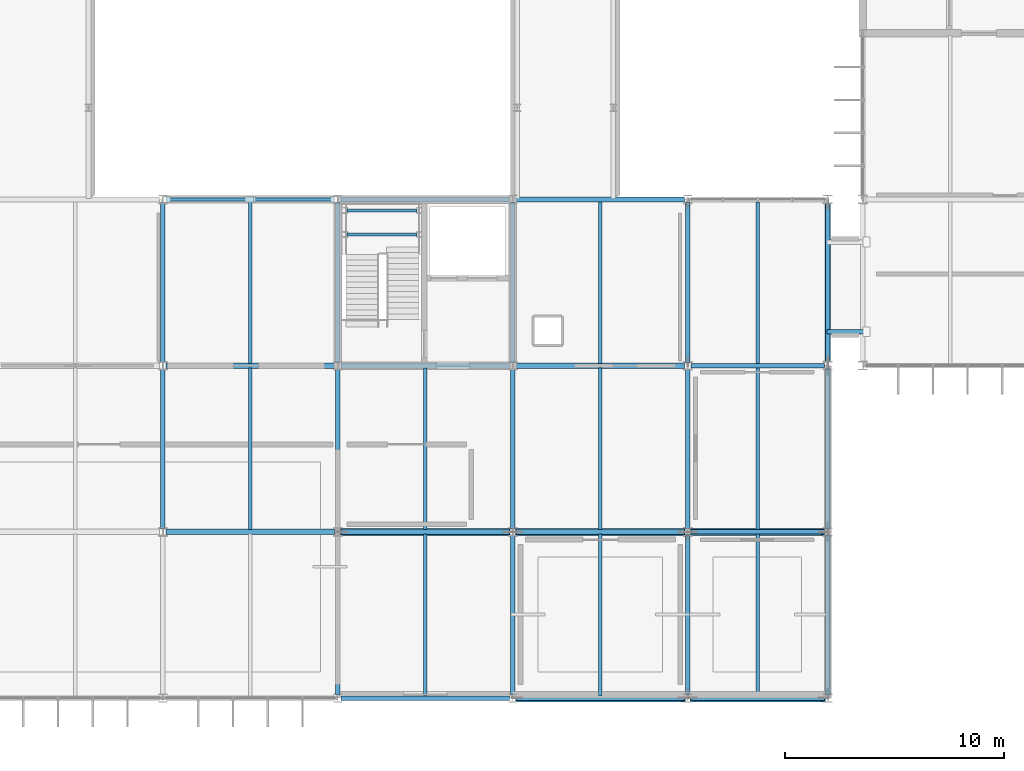
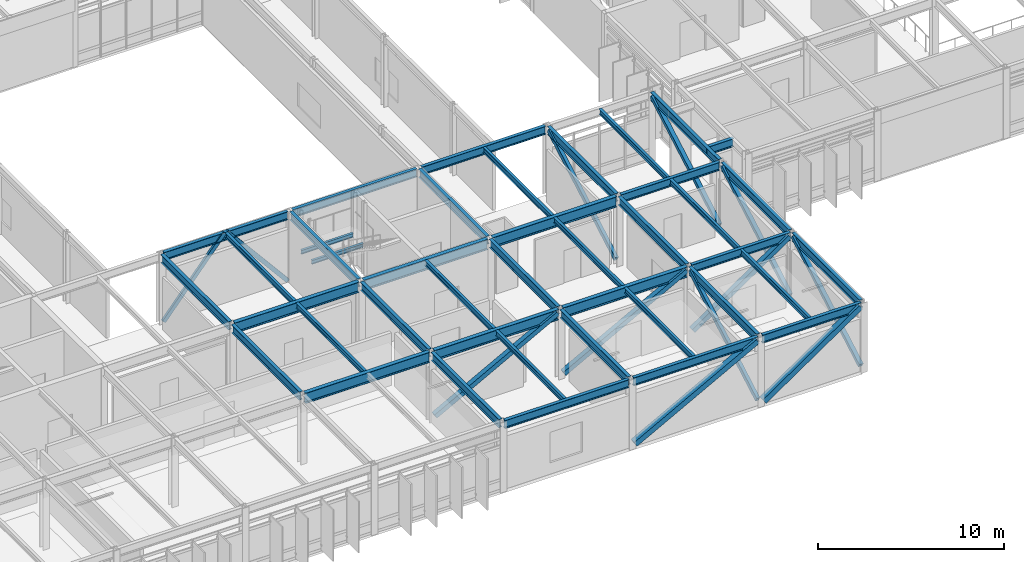
# One storey, part 28 of 104: 41 beams, 12 members.
"""IFC4 building model written with IfcOpenShell, lengths in metres."""

import ifcopenshell
import ifcopenshell.guid

model = None  # the IFC model being written
_history = None  # IfcOwnerHistory: only IFC2X3 demands one
_inside = {}  # id of a spatial element -> (the spatial element, [elements in it])
_under = {}  # id of a project, library or spatial element -> (it, [spatial elements below it])
_declared = {}  # id of a project -> (the project, [libraries it declares])
_typed = {}  # id of a type object -> (the type object, [elements of that type])
_made_of = {}  # id of a material, layer set ... -> (it, [elements and type objects made of it])


def new_model(schema):
    """Start an empty IFC model of exactly this schema.

    Asked for "IFC4X3", IfcOpenShell would pick the latest addendum, in which some entities
    have other attributes; the version numbers below select the first issue.
    IFC2X3 requires an IfcOwnerHistory on every rooted entity: one is made here for all.
    """
    global model, _history
    if schema == "IFC4X3":
        model = ifcopenshell.file(schema_version=(4, 3, 0, 0))
    else:
        model = ifcopenshell.file(schema=schema)
    _inside.clear()
    _under.clear()
    _declared.clear()
    _typed.clear()
    _made_of.clear()
    _history = None
    if model.schema == "IFC2X3":
        org = make("IfcOrganization", Name="unknown")
        user = make(
            "IfcPersonAndOrganization",
            ThePerson=make("IfcPerson", FamilyName="unknown"),
            TheOrganization=org,
        )
        app = make(
            "IfcApplication",
            ApplicationDeveloper=org,
            Version="unknown",
            ApplicationFullName="unknown",
            ApplicationIdentifier="unknown",
        )
        _history = make(
            "IfcOwnerHistory",
            OwningUser=user,
            OwningApplication=app,
            ChangeAction="ADDED",
            CreationDate=0,
        )
    return model


def make(cls, **values):
    """One entity of the class cls with the attributes given. An attribute that is None is left unset."""
    return model.create_entity(
        cls, **{name: value for name, value in values.items() if value is not None}
    )


def rooted(cls, **values):
    """An entity with a GlobalId (a new one), such as an element, a storey or a relation."""
    return make(cls, GlobalId=ifcopenshell.guid.new(), OwnerHistory=_history, **values)


def si_unit(unit_type, name, prefix=None):
    """IfcSIUnit, for example si_unit("LENGTHUNIT", "METRE", prefix="MILLI")."""
    return make("IfcSIUnit", UnitType=unit_type, Prefix=prefix, Name=name)


def assignment(units):
    """IfcUnitAssignment: the units of a project."""
    return None if units is None else make("IfcUnitAssignment", Units=units)


def point(xyz):
    """IfcCartesianPoint."""
    return None if xyz is None else make("IfcCartesianPoint", Coordinates=xyz)


def direction(xyz):
    """IfcDirection."""
    return None if xyz is None else make("IfcDirection", DirectionRatios=xyz)


def frame(location, z_axis=None, x_axis=None):
    """IfcAxis2Placement3D, a coordinate frame: its origin and axes. An axis left out is left unset."""
    return make(
        "IfcAxis2Placement3D",
        Location=point(location),
        Axis=direction(z_axis),
        RefDirection=direction(x_axis),
    )


def frame_2d(location, x_axis=None):
    """IfcAxis2Placement2D, a coordinate frame in the plane: its origin and x axis."""
    return make(
        "IfcAxis2Placement2D", Location=point(location), RefDirection=direction(x_axis)
    )


def origin():
    """The frame at (0, 0, 0) with its axes left unset."""
    return frame((0.0, 0.0, 0.0))


def origin_2d():
    """The frame at (0, 0) in the plane with its x axis left unset."""
    return frame_2d((0.0, 0.0))


def place(relative_to, where):
    """IfcLocalPlacement: puts the frame where relative to a parent placement (None: the world)."""
    return make(
        "IfcLocalPlacement", PlacementRelTo=relative_to, RelativePlacement=where
    )


def context(
    kind, dimensions, precision=None, world=None, true_north=None, identifier=None
):
    """IfcGeometricRepresentationContext, for example the 3D "Model" context."""
    return make(
        "IfcGeometricRepresentationContext",
        ContextIdentifier=identifier,
        ContextType=kind,
        CoordinateSpaceDimension=dimensions,
        Precision=precision,
        WorldCoordinateSystem=world,
        TrueNorth=true_north,
    )


def subcontext(parent, identifier, kind, view, scale=None):
    """IfcGeometricRepresentationSubContext, for example "Body" below "Model"."""
    return make(
        "IfcGeometricRepresentationSubContext",
        ContextIdentifier=identifier,
        ContextType=kind,
        ParentContext=parent,
        TargetScale=scale,
        TargetView=view,
    )


def project(units=None, contexts=None):
    """IfcProject with its units and contexts."""
    return rooted(
        "IfcProject",
        Name="project",
        RepresentationContexts=contexts,
        UnitsInContext=assignment(units),
    )


def spatial(cls, under=None, at=None, **own):
    """A site, building, storey or space (cls), placed at a placement, below another one or the project."""
    s = rooted(cls, ObjectPlacement=at, **own)
    if under is not None:
        _under.setdefault(under.id(), (under, []))[1].append(s)
    return s


def profile(cls, at=None, kind="AREA", **sizes):
    """A parametric profile (cls). Its sizes go by their IFC names, for example OverallWidth=200.0."""
    return make(cls, ProfileType=kind, Position=at, **sizes)


def hollow_rectangle(**sizes):
    """IfcRectangleHollowProfileDef."""
    return profile("IfcRectangleHollowProfileDef", **sizes)


def i_section(**sizes):
    """IfcIShapeProfileDef."""
    return profile("IfcIShapeProfileDef", **sizes)


def extrude(swept, where, along, depth):
    """IfcExtrudedAreaSolid: the profile swept, set in the frame where, extruded along a direction by depth."""
    return make(
        "IfcExtrudedAreaSolid",
        SweptArea=swept,
        Position=where,
        ExtrudedDirection=direction(along),
        Depth=depth,
    )


def shape(context_of_items, identifier, shape_type, items):
    """IfcShapeRepresentation: the items that make up one representation, for example the "Body"."""
    return make(
        "IfcShapeRepresentation",
        ContextOfItems=context_of_items,
        RepresentationIdentifier=identifier,
        RepresentationType=shape_type,
        Items=items,
    )


def material(Name=None, Category=None):
    """IfcMaterial."""
    return make("IfcMaterial", Name=Name, Category=Category)


def material_profile(
    of_material, cross_section, Name=None, Category=None, Priority=None
):
    """IfcMaterialProfile: a cross section and its material."""
    return make(
        "IfcMaterialProfile",
        Name=Name,
        Material=of_material,
        Profile=cross_section,
        Priority=Priority,
        Category=Category,
    )


def profile_set(profiles, Name=None, composite=None):
    """IfcMaterialProfileSet."""
    return make(
        "IfcMaterialProfileSet",
        Name=Name,
        MaterialProfiles=profiles,
        CompositeProfile=composite,
    )


def made_of(thing, what):
    """Note that an element or type object is made of a material, layer set ...; save() writes the relation."""
    if what is not None:
        _made_of.setdefault(what.id(), (what, []))[1].append(thing)
    return thing


def type_object(cls, material=None, **own):
    """A type object (cls), such as IfcWallType, which elements share."""
    return made_of(rooted(cls, **own), material)


def element(
    cls,
    number,
    at=None,
    inside=None,
    cuts=None,
    type_object=None,
    material=None,
    context=None,
    identifier="Body",
    shape_type=None,
    held_by="IfcProductDefinitionShape",
    body=None,
    shapes=None,
    **own,
):
    """One element of the class cls, such as IfcWall. Its Tag is "e" and its number.

    at: its placement. inside: the storey or other place that contains it. cuts: it is an
    opening in that element (IfcRelVoidsElement). A single representation is given by context,
    identifier, shape_type and body (its items); several are given by shapes. held_by: the class
    of the entity that holds the representations. save() writes the other relations.
    """
    e = rooted(cls, Tag="e%d" % number, ObjectPlacement=at, **own)
    if body is not None:
        shapes = [shape(context, identifier, shape_type, body)]
    if shapes is not None:
        e.Representation = make(held_by, Representations=shapes)
    if inside is not None:
        _inside.setdefault(inside.id(), (inside, []))[1].append(e)
    if cuts is not None:
        rooted(
            "IfcRelVoidsElement", RelatingBuildingElement=cuts, RelatedOpeningElement=e
        )
    if type_object is not None:
        _typed.setdefault(type_object.id(), (type_object, []))[1].append(e)
    return made_of(e, material)


def aggregate(whole, parts):
    """IfcRelAggregates: a whole, such as a stair, and the parts it consists of."""
    return rooted("IfcRelAggregates", RelatingObject=whole, RelatedObjects=parts)


def save(model, path):
    """Write the relations noted so far, then the file.

    IfcRelAggregates (storeys below a building ...), IfcRelContainedInSpatialStructure (elements
    in a storey), IfcRelDefinesByType, IfcRelAssociatesMaterial and IfcRelDeclares: one each for
    every whole, place, type object, material and project.
    """
    for whole, parts in _under.values():
        aggregate(whole, parts)
    for where, things in _inside.values():
        rooted(
            "IfcRelContainedInSpatialStructure",
            RelatedElements=things,
            RelatingStructure=where,
        )
    for kind, things in _typed.values():
        rooted("IfcRelDefinesByType", RelatedObjects=things, RelatingType=kind)
    for what, things in _made_of.values():
        rooted("IfcRelAssociatesMaterial", RelatedObjects=things, RelatingMaterial=what)
    for by, libraries in _declared.values():
        rooted("IfcRelDeclares", RelatingContext=by, RelatedDefinitions=libraries)
    model.write(path)


model = new_model("IFC4")

# Units and contexts
model_context = context("Model", 3, precision=1e-05, world=origin(), true_north=direction((0.0, 1.0)))
body_context = subcontext(model_context, "Body", "Model", "MODEL_VIEW")
ifc_project = project(units=[si_unit("LENGTHUNIT", "METRE"), si_unit("AREAUNIT", "SQUARE_METRE"), si_unit("VOLUMEUNIT", "CUBIC_METRE"), si_unit("PLANEANGLEUNIT", "RADIAN"), si_unit("MASSUNIT", "GRAM", prefix="KILO")], contexts=[model_context])

# Site, building, storey
site_placement = place(None, origin())
site = spatial("IfcSite", under=ifc_project, at=site_placement, CompositionType="ELEMENT")
building_placement = place(site_placement, origin())
building = spatial("IfcBuilding", under=site, at=building_placement, Name="Zulena Civic Courthouse", CompositionType="ELEMENT")
storey_placement = place(building_placement, frame((0.0, 0.0, 15.60009765625)))
storey = spatial("IfcBuildingStorey", under=building, at=storey_placement, Name="L03", CompositionType="ELEMENT", Elevation=15.60009765625)

# Members
ifc_material_1 = material(Name="Steel ASTM A500 Grade C", Category="steel")
ifc_material_profile_1 = material_profile(ifc_material_1, hollow_rectangle(XDim=0.152099609375, YDim=0.25390625, WallThickness=0.0087890625, at=origin_2d()), Name="HSS10X6X3/8")
ifc_profile_set_1 = profile_set([ifc_material_profile_1], Name="Steel ASTM A500 Grade C")
member_type_1 = type_object("IfcMemberType", Name="Brace_HSS10X6", PredefinedType="BRACE", material=ifc_profile_set_1)
for number, where, z_axis, x_axis, name in (
    (1, (36.14990234375, 22.800048828125, 0.010009765625), (0.641034700676, 0.0, 0.767511897321), (0.0, 1.0, 0.0), "brace:V2:L03:1:0"),
    (2, (43.85009765625, 22.800048828125, 0.010009765625), (-0.641034700676, 0.0, 0.767511897321), (0.0, -1.0, 0.0), "brace:V2:L03:1:1"),
):
    element("IfcMember", number, at=place(storey_placement, frame(where, z_axis=z_axis, x_axis=x_axis)), inside=storey, type_object=member_type_1, Name=name, PredefinedType="BRACE", context=body_context, shape_type="SweptSolid", body=[
        extrude(hollow_rectangle(XDim=0.152099609375, YDim=0.25390625, WallThickness=0.0087890625, at=origin_2d()), origin(), (0.0, 0.0, 1.0), 5.927978515625),
    ])

# Beams
ifc_material_2 = material(Name="Steel ASTM A992 Grade 50", Category="steel")
ifc_material_profile_2 = material_profile(ifc_material_2, i_section(OverallWidth=0.2099609375, OverallDepth=0.537109375, WebThickness=0.010986328125, FlangeThickness=0.017333984375, FilletRadius=0.0126953125, at=origin_2d()), Name="W21X68")
ifc_profile_set_2 = profile_set([ifc_material_profile_2], Name="Steel ASTM A992 Grade 50")
beam_type_1 = type_object("IfcBeamType", Name="BridgeGirder_W21X68", PredefinedType="BEAM", material=ifc_profile_set_2)
beam_1_placement = place(storey_placement, frame((66.3701171875, 16.75, 4.31640625), z_axis=(1.0, 0.0, 0.0), x_axis=(0.0, 1.0, 0.0)))
element("IfcBeam", 3, at=beam_1_placement, inside=storey, type_object=beam_type_1, Name="beam:bridge:BR-24:L04:16.75", PredefinedType="BEAM", context=body_context, shape_type="SweptSolid", body=[
    extrude(i_section(OverallWidth=0.2099609375, OverallDepth=0.537109375, WebThickness=0.010986328125, FlangeThickness=0.017333984375, FilletRadius=0.0126953125, at=origin_2d()), origin(), (0.0, 0.0, 1.0), 1.659912109375),
])
ifc_material_profile_3 = material_profile(ifc_material_2, i_section(OverallWidth=0.2099609375, OverallDepth=0.537109375, WebThickness=0.010986328125, FlangeThickness=0.017333984375, FilletRadius=0.0126953125, at=origin_2d()), Name="W21X68")
ifc_profile_set_3 = profile_set([ifc_material_profile_3], Name="Steel ASTM A992 Grade 50")
beam_type_2 = type_object("IfcBeamType", Name="Girder_W21X68", PredefinedType="BEAM", material=ifc_profile_set_3)
for number, where, z_axis, x_axis, name in (
    (4, (36.0, 7.7451171875, 4.3212890625), (0.0, 1.0, 0.0), (-1.0, 0.0, 0.0), "beam:Y:V2:L03:36.0:7.6_15.2"),
    (5, (44.0, 7.7451171875, 4.3212890625), (0.0, 1.0, 0.0), (-1.0, 0.0, 0.0), "beam:Y:V2:L03:44.0:7.6_15.2"),
    (6, (52.0, 7.7451171875, 4.3212890625), (0.0, 1.0, 0.0), (-1.0, 0.0, 0.0), "beam:Y:V2:L03:52.0:7.6_15.2"),
    (7, (60.0, 7.7451171875, 4.3212890625), (0.0, 1.0, 0.0), (-1.0, 0.0, 0.0), "beam:Y:V2:L03:60.0:7.6_15.2"),
):
    element("IfcBeam", number, at=place(storey_placement, frame(where, z_axis=z_axis, x_axis=x_axis)), inside=storey, type_object=beam_type_2, Name=name, PredefinedType="BEAM", context=body_context, shape_type="SweptSolid", body=[
        extrude(i_section(OverallWidth=0.2099609375, OverallDepth=0.537109375, WebThickness=0.010986328125, FlangeThickness=0.017333984375, FilletRadius=0.0126953125, at=origin_2d()), origin(), (0.0, 0.0, 1.0), 7.309814453125),
    ])
ifc_material_profile_4 = material_profile(ifc_material_2, i_section(OverallWidth=0.25390625, OverallDepth=0.68798828125, WebThickness=0.01318359375, FlangeThickness=0.02099609375, FilletRadius=0.0166015625, at=origin_2d()), Name="W27X102")
ifc_profile_set_4 = profile_set([ifc_material_profile_4], Name="Steel ASTM A992 Grade 50")
beam_type_3 = type_object("IfcBeamType", Name="Girder_W27X102", PredefinedType="BEAM", material=ifc_profile_set_4)
for number, where, z_axis, x_axis, name in (
    (8, (36.14501953125, 7.60009765625, 4.245849609375), (1.0, 0.0, 0.0), (0.0, 1.0, 0.0), "beam:X:V2:L03:7.6:36.0_44.0"),
    (9, (44.14501953125, 7.60009765625, 4.245849609375), (1.0, 0.0, 0.0), (0.0, 1.0, 0.0), "beam:X:V2:L03:7.6:44.0_52.0"),
    (10, (52.14501953125, 7.60009765625, 4.245849609375), (1.0, 0.0, 0.0), (0.0, 1.0, 0.0), "beam:X:V2:L03:7.6:52.0_60.0"),
    (11, (36.14501953125, 15.199951171875, 4.245849609375), (1.0, 0.0, 0.0), (0.0, 1.0, 0.0), "beam:X:V2:L03:15.2:36.0_44.0"),
    (12, (44.14501953125, 15.199951171875, 4.245849609375), (1.0, 0.0, 0.0), (0.0, 1.0, 0.0), "beam:X:V2:L03:15.2:44.0_52.0"),
    (13, (52.14501953125, 15.199951171875, 4.245849609375), (1.0, 0.0, 0.0), (0.0, 1.0, 0.0), "beam:X:V2:L03:15.2:52.0_60.0"),
):
    element("IfcBeam", number, at=place(storey_placement, frame(where, z_axis=z_axis, x_axis=x_axis)), inside=storey, type_object=beam_type_3, Name=name, PredefinedType="BEAM", context=body_context, shape_type="SweptSolid", body=[
        extrude(i_section(OverallWidth=0.25390625, OverallDepth=0.68798828125, WebThickness=0.01318359375, FlangeThickness=0.02099609375, FilletRadius=0.0166015625, at=origin_2d()), origin(), (0.0, 0.0, 1.0), 7.7099609375),
    ])
ifc_material_profile_5 = material_profile(ifc_material_2, i_section(OverallWidth=0.14599609375, OverallDepth=0.258056640625, WebThickness=0.006103515625, FlangeThickness=0.009033203125, FilletRadius=0.007568359375, at=origin_2d()), Name="W10X22")
ifc_profile_set_5 = profile_set([ifc_material_profile_5], Name="Steel ASTM A992 Grade 50")
beam_type_4 = type_object("IfcBeamType", Name="Joist_W10X22", PredefinedType="JOIST", material=ifc_profile_set_5)
for number, where, z_axis, x_axis, name in (
    (14, (44.419921875, 21.199951171875, 1.990966796875), (1.0, 0.0, 0.0), (0.0, 1.0, 0.0), "beam:lnd:K2B:L03:0"),
    (15, (44.419921875, 22.300048828125, 1.990966796875), (1.0, 0.0, 0.0), (0.0, 1.0, 0.0), "beam:lnd:K2B:L03:1"),
):
    element("IfcBeam", number, at=place(storey_placement, frame(where, z_axis=z_axis, x_axis=x_axis)), inside=storey, type_object=beam_type_4, Name=name, PredefinedType="JOIST", context=body_context, shape_type="SweptSolid", body=[
        extrude(i_section(OverallWidth=0.14599609375, OverallDepth=0.258056640625, WebThickness=0.006103515625, FlangeThickness=0.009033203125, FilletRadius=0.007568359375, at=origin_2d()), origin(), (0.0, 0.0, 1.0), 3.2001953125),
    ])
ifc_material_profile_6 = material_profile(ifc_material_2, i_section(OverallWidth=0.1708984375, OverallDepth=0.35205078125, WebThickness=0.0068359375, FlangeThickness=0.009765625, FilletRadius=0.01025390625, at=origin_2d()), Name="W14X30")
ifc_profile_set_6 = profile_set([ifc_material_profile_6], Name="Steel ASTM A992 Grade 50")
beam_type_5 = type_object("IfcBeamType", Name="Joist_W14X30", PredefinedType="JOIST", material=ifc_profile_set_6)
beam_2_placement = place(storey_placement, frame((40.0, 7.705078125, 4.413818359375), z_axis=(0.0, 1.0, 0.0), x_axis=(-1.0, 0.0, 0.0)))
element("IfcBeam", 16, at=beam_2_placement, inside=storey, type_object=beam_type_5, Name="joist:V2:L03:40.00:7.6_15.2", PredefinedType="JOIST", context=body_context, shape_type="SweptSolid", body=[
    extrude(i_section(OverallWidth=0.1708984375, OverallDepth=0.35205078125, WebThickness=0.0068359375, FlangeThickness=0.009765625, FilletRadius=0.01025390625, at=origin_2d()), origin(), (0.0, 0.0, 1.0), 7.389892578125),
])
for number, where, z_axis, x_axis, name in (
    (17, (40.0, 15.304931640625, 4.413818359375), (0.0, 1.0, 0.0), (-1.0, 0.0, 0.0), "joist:V2:L03:40.00:15.2_22.8"),
    (18, (48.0, 0.10498046875, 4.413818359375), (0.0, 1.0, 0.0), (-1.0, 0.0, 0.0), "joist:V2:L03:48.00:0.0_7.6"),
):
    element("IfcBeam", number, at=place(storey_placement, frame(where, z_axis=z_axis, x_axis=x_axis)), inside=storey, type_object=beam_type_5, Name=name, PredefinedType="JOIST", context=body_context, shape_type="SweptSolid", body=[
        extrude(i_section(OverallWidth=0.1708984375, OverallDepth=0.35205078125, WebThickness=0.0068359375, FlangeThickness=0.009765625, FilletRadius=0.01025390625, at=origin_2d()), origin(), (0.0, 0.0, 1.0), 7.39013671875),
    ])
beam_3_placement = place(storey_placement, frame((48.0, 7.705078125, 4.413818359375), z_axis=(0.0, 1.0, 0.0), x_axis=(-1.0, 0.0, 0.0)))
element("IfcBeam", 19, at=beam_3_placement, inside=storey, type_object=beam_type_5, Name="joist:V2:L03:48.00:7.6_15.2", PredefinedType="JOIST", context=body_context, shape_type="SweptSolid", body=[
    extrude(i_section(OverallWidth=0.1708984375, OverallDepth=0.35205078125, WebThickness=0.0068359375, FlangeThickness=0.009765625, FilletRadius=0.01025390625, at=origin_2d()), origin(), (0.0, 0.0, 1.0), 7.389892578125),
])
beam_4_placement = place(storey_placement, frame((56.0, 0.10498046875, 4.413818359375), z_axis=(0.0, 1.0, 0.0), x_axis=(-1.0, 0.0, 0.0)))
element("IfcBeam", 20, at=beam_4_placement, inside=storey, type_object=beam_type_5, Name="joist:V2:L03:56.00:0.0_7.6", PredefinedType="JOIST", context=body_context, shape_type="SweptSolid", body=[
    extrude(i_section(OverallWidth=0.1708984375, OverallDepth=0.35205078125, WebThickness=0.0068359375, FlangeThickness=0.009765625, FilletRadius=0.01025390625, at=origin_2d()), origin(), (0.0, 0.0, 1.0), 7.39013671875),
])
beam_5_placement = place(storey_placement, frame((56.0, 7.705078125, 4.413818359375), z_axis=(0.0, 1.0, 0.0), x_axis=(-1.0, 0.0, 0.0)))
element("IfcBeam", 21, at=beam_5_placement, inside=storey, type_object=beam_type_5, Name="joist:V2:L03:56.00:7.6_15.2", PredefinedType="JOIST", context=body_context, shape_type="SweptSolid", body=[
    extrude(i_section(OverallWidth=0.1708984375, OverallDepth=0.35205078125, WebThickness=0.0068359375, FlangeThickness=0.009765625, FilletRadius=0.01025390625, at=origin_2d()), origin(), (0.0, 0.0, 1.0), 7.389892578125),
])
for number, where, z_axis, x_axis, name in (
    (22, (56.0, 15.304931640625, 4.413818359375), (0.0, 1.0, 0.0), (-1.0, 0.0, 0.0), "joist:V2:L03:56.00:15.2_22.8"),
    (23, (63.199951171875, 0.10498046875, 4.413818359375), (0.0, 1.0, 0.0), (-1.0, 0.0, 0.0), "joist:V2:L03:63.20:0.0_7.6"),
):
    element("IfcBeam", number, at=place(storey_placement, frame(where, z_axis=z_axis, x_axis=x_axis)), inside=storey, type_object=beam_type_5, Name=name, PredefinedType="JOIST", context=body_context, shape_type="SweptSolid", body=[
        extrude(i_section(OverallWidth=0.1708984375, OverallDepth=0.35205078125, WebThickness=0.0068359375, FlangeThickness=0.009765625, FilletRadius=0.01025390625, at=origin_2d()), origin(), (0.0, 0.0, 1.0), 7.39013671875),
    ])
beam_6_placement = place(storey_placement, frame((63.199951171875, 7.705078125, 4.413818359375), z_axis=(0.0, 1.0, 0.0), x_axis=(-1.0, 0.0, 0.0)))
element("IfcBeam", 24, at=beam_6_placement, inside=storey, type_object=beam_type_5, Name="joist:V2:L03:63.20:7.6_15.2", PredefinedType="JOIST", context=body_context, shape_type="SweptSolid", body=[
    extrude(i_section(OverallWidth=0.1708984375, OverallDepth=0.35205078125, WebThickness=0.0068359375, FlangeThickness=0.009765625, FilletRadius=0.01025390625, at=origin_2d()), origin(), (0.0, 0.0, 1.0), 7.389892578125),
])
beam_7_placement = place(storey_placement, frame((63.199951171875, 15.304931640625, 4.413818359375), z_axis=(0.0, 1.0, 0.0), x_axis=(-1.0, 0.0, 0.0)))
element("IfcBeam", 25, at=beam_7_placement, inside=storey, type_object=beam_type_5, Name="joist:V2:L03:63.20:15.2_22.8", PredefinedType="JOIST", context=body_context, shape_type="SweptSolid", body=[
    extrude(i_section(OverallWidth=0.1708984375, OverallDepth=0.35205078125, WebThickness=0.0068359375, FlangeThickness=0.009765625, FilletRadius=0.01025390625, at=origin_2d()), origin(), (0.0, 0.0, 1.0), 7.39013671875),
])
ifc_material_profile_7 = material_profile(ifc_material_2, i_section(OverallWidth=0.2099609375, OverallDepth=0.537109375, WebThickness=0.010986328125, FlangeThickness=0.017333984375, FilletRadius=0.0126953125, at=origin_2d()), Name="W21X68")
ifc_profile_set_7 = profile_set([ifc_material_profile_7], Name="Steel ASTM A992 Grade 50")
beam_type_6 = type_object("IfcBeamType", Name="Spandrel_W21X68", PredefinedType="SPANDREL", material=ifc_profile_set_7)
for number, where, z_axis, x_axis, name in (
    (26, (44.14501953125, 0.0, 4.3212890625), (1.0, 0.0, 0.0), (0.0, 1.0, 0.0), "beam:X:V2:L03:0.0:44.0_52.0"),
    (27, (52.14501953125, 0.0, 4.3212890625), (1.0, 0.0, 0.0), (0.0, 1.0, 0.0), "beam:X:V2:L03:0.0:52.0_60.0"),
):
    element("IfcBeam", number, at=place(storey_placement, frame(where, z_axis=z_axis, x_axis=x_axis)), inside=storey, type_object=beam_type_6, Name=name, PredefinedType="SPANDREL", context=body_context, shape_type="SweptSolid", body=[
        extrude(i_section(OverallWidth=0.2099609375, OverallDepth=0.537109375, WebThickness=0.010986328125, FlangeThickness=0.017333984375, FilletRadius=0.0126953125, at=origin_2d()), origin(), (0.0, 0.0, 1.0), 7.7099609375),
    ])
for number, where, z_axis, x_axis, name in (
    (28, (60.14501953125, 0.0, 4.3212890625), (1.0, 0.0, 0.0), (0.0, 1.0, 0.0), "beam:X:V2:L03:0.0:60.0_66.4"),
    (29, (60.14501953125, 7.60009765625, 4.3212890625), (1.0, 0.0, 0.0), (0.0, 1.0, 0.0), "beam:X:V2:L03:7.6:60.0_66.4"),
    (30, (60.14501953125, 15.199951171875, 4.3212890625), (1.0, 0.0, 0.0), (0.0, 1.0, 0.0), "beam:X:V2:L03:15.2:60.0_66.4"),
):
    element("IfcBeam", number, at=place(storey_placement, frame(where, z_axis=z_axis, x_axis=x_axis)), inside=storey, type_object=beam_type_6, Name=name, PredefinedType="SPANDREL", context=body_context, shape_type="SweptSolid", body=[
        extrude(i_section(OverallWidth=0.2099609375, OverallDepth=0.537109375, WebThickness=0.010986328125, FlangeThickness=0.017333984375, FilletRadius=0.0126953125, at=origin_2d()), origin(), (0.0, 0.0, 1.0), 6.10986328125),
    ])
for number, where, z_axis, x_axis, name in (
    (31, (36.14501953125, 22.800048828125, 4.3212890625), (1.0, 0.0, 0.0), (0.0, 1.0, 0.0), "beam:X:V2:L03:22.8:36.0_44.0"),
    (32, (44.14501953125, 22.800048828125, 4.3212890625), (1.0, 0.0, 0.0), (0.0, 1.0, 0.0), "beam:X:V2:L03:22.8:44.0_52.0"),
    (33, (52.14501953125, 22.800048828125, 4.3212890625), (1.0, 0.0, 0.0), (0.0, 1.0, 0.0), "beam:X:V2:L03:22.8:52.0_60.0"),
):
    element("IfcBeam", number, at=place(storey_placement, frame(where, z_axis=z_axis, x_axis=x_axis)), inside=storey, type_object=beam_type_6, Name=name, PredefinedType="SPANDREL", context=body_context, shape_type="SweptSolid", body=[
        extrude(i_section(OverallWidth=0.2099609375, OverallDepth=0.537109375, WebThickness=0.010986328125, FlangeThickness=0.017333984375, FilletRadius=0.0126953125, at=origin_2d()), origin(), (0.0, 0.0, 1.0), 7.7099609375),
    ])
for number, where, z_axis, x_axis, name in (
    (34, (36.0, 15.344970703125, 4.3212890625), (0.0, 1.0, 0.0), (-1.0, 0.0, 0.0), "beam:Y:V2:L03:36.0:15.2_22.8"),
    (35, (44.0, 0.14501953125, 4.3212890625), (0.0, 1.0, 0.0), (-1.0, 0.0, 0.0), "beam:Y:V2:L03:44.0:0.0_7.6"),
    (36, (44.0, 15.344970703125, 4.3212890625), (0.0, 1.0, 0.0), (-1.0, 0.0, 0.0), "beam:Y:V2:L03:44.0:15.2_22.8"),
    (37, (52.0, 0.14501953125, 4.3212890625), (0.0, 1.0, 0.0), (-1.0, 0.0, 0.0), "beam:Y:V2:L03:52.0:0.0_7.6"),
    (38, (52.0, 15.344970703125, 4.3212890625), (0.0, 1.0, 0.0), (-1.0, 0.0, 0.0), "beam:Y:V2:L03:52.0:15.2_22.8"),
    (39, (60.0, 0.14501953125, 4.3212890625), (0.0, 1.0, 0.0), (-1.0, 0.0, 0.0), "beam:Y:V2:L03:60.0:0.0_7.6"),
    (40, (60.0, 15.344970703125, 4.3212890625), (0.0, 1.0, 0.0), (-1.0, 0.0, 0.0), "beam:Y:V2:L03:60.0:15.2_22.8"),
    (41, (66.39990234375, 0.14501953125, 4.3212890625), (0.0, 1.0, 0.0), (-1.0, 0.0, 0.0), "beam:Y:V2:L03:66.4:0.0_7.6"),
):
    element("IfcBeam", number, at=place(storey_placement, frame(where, z_axis=z_axis, x_axis=x_axis)), inside=storey, type_object=beam_type_6, Name=name, PredefinedType="SPANDREL", context=body_context, shape_type="SweptSolid", body=[
        extrude(i_section(OverallWidth=0.2099609375, OverallDepth=0.537109375, WebThickness=0.010986328125, FlangeThickness=0.017333984375, FilletRadius=0.0126953125, at=origin_2d()), origin(), (0.0, 0.0, 1.0), 7.31005859375),
    ])
beam_8_placement = place(storey_placement, frame((66.39990234375, 7.7451171875, 4.3212890625), z_axis=(0.0, 1.0, 0.0), x_axis=(-1.0, 0.0, 0.0)))
element("IfcBeam", 42, at=beam_8_placement, inside=storey, type_object=beam_type_6, Name="beam:Y:V2:L03:66.4:7.6_15.2", PredefinedType="SPANDREL", context=body_context, shape_type="SweptSolid", body=[
    extrude(i_section(OverallWidth=0.2099609375, OverallDepth=0.537109375, WebThickness=0.010986328125, FlangeThickness=0.017333984375, FilletRadius=0.0126953125, at=origin_2d()), origin(), (0.0, 0.0, 1.0), 7.309814453125),
])
beam_9_placement = place(storey_placement, frame((66.39990234375, 15.344970703125, 4.3212890625), z_axis=(0.0, 1.0, 0.0), x_axis=(-1.0, 0.0, 0.0)))
element("IfcBeam", 43, at=beam_9_placement, inside=storey, type_object=beam_type_6, Name="beam:Y:V2:L03:66.4:15.2_22.8", PredefinedType="SPANDREL", context=body_context, shape_type="SweptSolid", body=[
    extrude(i_section(OverallWidth=0.2099609375, OverallDepth=0.537109375, WebThickness=0.010986328125, FlangeThickness=0.017333984375, FilletRadius=0.0126953125, at=origin_2d()), origin(), (0.0, 0.0, 1.0), 7.31005859375),
])

# Members
ifc_material_profile_8 = material_profile(ifc_material_1, hollow_rectangle(XDim=0.25390625, YDim=0.25390625, WallThickness=0.01171875, at=origin_2d()), Name="HSS10X10X1/2")
ifc_profile_set_8 = profile_set([ifc_material_profile_8], Name="Steel ASTM A500 Grade C")
member_type_2 = type_object("IfcMemberType", Name="TrussWeb_HSS10", PredefinedType="USERDEFINED", material=ifc_profile_set_8)
member_1_placement = place(storey_placement, frame((66.39990234375, 15.39990234375, 0.25), z_axis=(0.0, 0.868998265376, 0.494815131916), x_axis=(-1.0, 0.0, 0.0)))
element("IfcMember", 44, at=member_1_placement, inside=storey, type_object=member_type_2, Name="truss:V2:Y:66.4:0:diag", ObjectType="ROOF TRUSS", PredefinedType="USERDEFINED", context=body_context, shape_type="SweptSolid", body=[
    extrude(hollow_rectangle(XDim=0.25390625, YDim=0.25390625, WallThickness=0.01171875, at=origin_2d()), origin(), (0.0, 0.0, 1.0), 8.28564453125),
])
for number, where, z_axis, x_axis, name in (
    (45, (66.39990234375, 7.800048828125, 0.25), (0.0, 0.868991050692, 0.494827802186), (-1.0, 0.0, 0.0), "truss:V2:Y:66.4:1:diag"),
    (46, (66.39990234375, 0.199951171875, 0.25), (0.0, 0.868991050692, 0.494827802186), (-1.0, 0.0, 0.0), "truss:V2:Y:66.4:2:diag"),
):
    element("IfcMember", number, at=place(storey_placement, frame(where, z_axis=z_axis, x_axis=x_axis)), inside=storey, type_object=member_type_2, Name=name, ObjectType="ROOF TRUSS", PredefinedType="USERDEFINED", context=body_context, shape_type="SweptSolid", body=[
        extrude(hollow_rectangle(XDim=0.25390625, YDim=0.25390625, WallThickness=0.01171875, at=origin_2d()), origin(), (0.0, 0.0, 1.0), 8.285400390625),
    ])
ifc_material_profile_9 = material_profile(ifc_material_1, hollow_rectangle(XDim=0.304931640625, YDim=0.304931640625, WallThickness=0.014892578125, at=origin_2d()), Name="HSS12X12X5/8")
ifc_profile_set_9 = profile_set([ifc_material_profile_9], Name="Steel ASTM A500 Grade C")
member_type_3 = type_object("IfcMemberType", Name="TrussWeb_HSS12", PredefinedType="USERDEFINED", material=ifc_profile_set_9)
for number, where, z_axis, x_axis, name in (
    (47, (44.199951171875, 7.60009765625, 0.25), (0.880108623639, 0.0, 0.474772377667), (0.0, 1.0, 0.0), "truss:V2:X:7.6:0:diag"),
    (48, (52.199951171875, 7.60009765625, 0.25), (0.880108623639, 0.0, 0.474772377667), (0.0, 1.0, 0.0), "truss:V2:X:7.6:1:diag"),
):
    element("IfcMember", number, at=place(storey_placement, frame(where, z_axis=z_axis, x_axis=x_axis)), inside=storey, type_object=member_type_3, Name=name, ObjectType="ROOF TRUSS", PredefinedType="USERDEFINED", context=body_context, shape_type="SweptSolid", body=[
        extrude(hollow_rectangle(XDim=0.304931640625, YDim=0.304931640625, WallThickness=0.014892578125, at=origin_2d()), origin(), (0.0, 0.0, 1.0), 8.635498046875),
    ])
member_2_placement = place(storey_placement, frame((60.199951171875, 7.60009765625, 0.25), z_axis=(0.825654031203, 0.0, 0.564176763753), x_axis=(0.0, 1.0, 0.0)))
element("IfcMember", 49, at=member_2_placement, inside=storey, type_object=member_type_3, Name="truss:V2:X:7.6:2:diag", ObjectType="ROOF TRUSS", PredefinedType="USERDEFINED", context=body_context, shape_type="SweptSolid", body=[
    extrude(hollow_rectangle(XDim=0.304931640625, YDim=0.304931640625, WallThickness=0.014892578125, at=origin_2d()), origin(), (0.0, 0.0, 1.0), 7.266845703125),
])
ifc_material_profile_10 = material_profile(ifc_material_1, hollow_rectangle(XDim=0.202880859375, YDim=0.304931640625, WallThickness=0.01171875, at=origin_2d()), Name="HSS12X8X1/2")
ifc_profile_set_10 = profile_set([ifc_material_profile_10], Name="Steel ASTM A500 Grade C")
member_type_4 = type_object("IfcMemberType", Name="TrussWeb_HSS12X8", PredefinedType="USERDEFINED", material=ifc_profile_set_10)
member_3_placement = place(storey_placement, frame((60.0, 15.39990234375, 0.25), z_axis=(0.0, 0.868998265376, 0.494815131916), x_axis=(-1.0, 0.0, 0.0)))
element("IfcMember", 50, at=member_3_placement, inside=storey, type_object=member_type_4, Name="truss:V2:Y:60.0:0:diag", ObjectType="ROOF TRUSS", PredefinedType="USERDEFINED", context=body_context, shape_type="SweptSolid", body=[
    extrude(hollow_rectangle(XDim=0.202880859375, YDim=0.304931640625, WallThickness=0.01171875, at=origin_2d()), origin(), (0.0, 0.0, 1.0), 8.28564453125),
])
member_4_placement = place(storey_placement, frame((60.0, 0.199951171875, 0.25), z_axis=(0.0, 0.868991050692, 0.494827802186), x_axis=(-1.0, 0.0, 0.0)))
element("IfcMember", 51, at=member_4_placement, inside=storey, type_object=member_type_4, Name="truss:V2:Y:60.0:2:diag", ObjectType="ROOF TRUSS", PredefinedType="USERDEFINED", context=body_context, shape_type="SweptSolid", body=[
    extrude(hollow_rectangle(XDim=0.202880859375, YDim=0.304931640625, WallThickness=0.01171875, at=origin_2d()), origin(), (0.0, 0.0, 1.0), 8.285400390625),
])
ifc_material_profile_11 = material_profile(ifc_material_1, hollow_rectangle(XDim=0.35595703125, YDim=0.35595703125, WallThickness=0.014892578125, at=origin_2d()), Name="HSS14X14X5/8")
ifc_profile_set_11 = profile_set([ifc_material_profile_11], Name="Steel ASTM A500 Grade C")
member_type_5 = type_object("IfcMemberType", Name="TrussWeb_HSS14", PredefinedType="USERDEFINED", material=ifc_profile_set_11)
member_5_placement = place(storey_placement, frame((52.199951171875, 0.0, 0.25), z_axis=(0.880108623639, 0.0, 0.474772377667), x_axis=(0.0, 1.0, 0.0)))
element("IfcMember", 52, at=member_5_placement, inside=storey, type_object=member_type_5, Name="truss:V2:X:0.0:0:diag", ObjectType="ROOF TRUSS", PredefinedType="USERDEFINED", context=body_context, shape_type="SweptSolid", body=[
    extrude(hollow_rectangle(XDim=0.35595703125, YDim=0.35595703125, WallThickness=0.014892578125, at=origin_2d()), origin(), (0.0, 0.0, 1.0), 8.635498046875),
])
member_6_placement = place(storey_placement, frame((60.199951171875, 0.0, 0.25), z_axis=(0.825654031203, 0.0, 0.564176763753), x_axis=(0.0, 1.0, 0.0)))
element("IfcMember", 53, at=member_6_placement, inside=storey, type_object=member_type_5, Name="truss:V2:X:0.0:1:diag", ObjectType="ROOF TRUSS", PredefinedType="USERDEFINED", context=body_context, shape_type="SweptSolid", body=[
    extrude(hollow_rectangle(XDim=0.35595703125, YDim=0.35595703125, WallThickness=0.014892578125, at=origin_2d()), origin(), (0.0, 0.0, 1.0), 7.266845703125),
])

save(model, "model.ifc")
